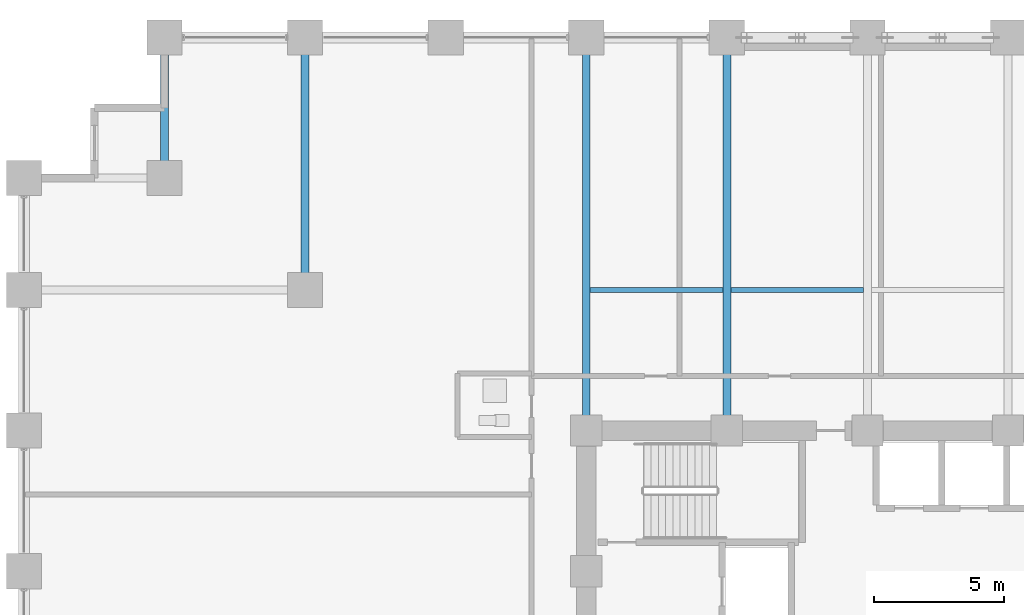
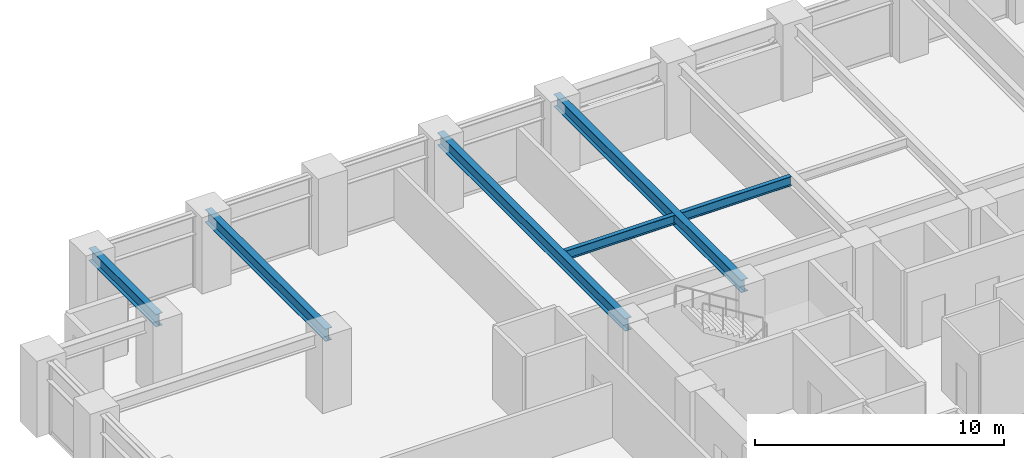
# One storey, part 11 of 24: 6 beams.
"""IFC4 building model written with IfcOpenShell, lengths in metres."""

from ifc_helpers import new_model, si_unit, direction, frame, origin, origin_2d, place, context, subcontext, project, spatial, i_section, extrude, material, material_profile, profile_set, type_object, element, save


model = new_model("IFC4")

# Units and contexts
model_context = context("Model", 3, precision=1e-05, world=origin(), true_north=direction((0.0, 1.0)))
body_context = subcontext(model_context, "Body", "Model", "MODEL_VIEW")
ifc_project = project(units=[si_unit("LENGTHUNIT", "METRE"), si_unit("AREAUNIT", "SQUARE_METRE"), si_unit("VOLUMEUNIT", "CUBIC_METRE"), si_unit("PLANEANGLEUNIT", "RADIAN"), si_unit("MASSUNIT", "GRAM", prefix="KILO")], contexts=[model_context])

# Site, building, storey
site_placement = place(None, origin())
site = spatial("IfcSite", under=ifc_project, at=site_placement, CompositionType="ELEMENT")
building_placement = place(site_placement, origin())
building = spatial("IfcBuilding", under=site, at=building_placement, Name="Surkhivell Harbour Commons", CompositionType="ELEMENT")
storey_placement = place(building_placement, frame((0.0, 0.0, 30.0)))
storey = spatial("IfcBuildingStorey", under=building, at=storey_placement, Name="L07", CompositionType="ELEMENT", Elevation=30.0)

# Beams
ifc_material = material(Name="Steel S355", Category="steel")
ifc_material_profile_1 = material_profile(ifc_material, i_section(OverallWidth=0.306884765625, OverallDepth=0.6201171875, WebThickness=0.01416015625, FlangeThickness=0.023681640625, at=origin_2d()), Name="UB610x305x179")
ifc_profile_set_1 = profile_set([ifc_material_profile_1], Name="Steel S355")
beam_type_1 = type_object("IfcBeamType", Name="BM-GRD-610A", PredefinedType="BEAM", material=ifc_profile_set_1)
beam_1_placement = place(storey_placement, frame((-27.0, 20.5, 3.260009765625), z_axis=(0.0, 1.0, 0.0), x_axis=(-1.0, 0.0, 0.0)))
element("IfcBeam", 1, at=beam_1_placement, inside=storey, type_object=beam_type_1, Name="L07 Floor Girder (-27.0,20.5)", PredefinedType="BEAM", context=body_context, shape_type="SweptSolid", body=[
    extrude(i_section(OverallWidth=0.306884765625, OverallDepth=0.6201171875, WebThickness=0.01416015625, FlangeThickness=0.023681640625, at=origin_2d()), origin(), (0.0, 0.0, 1.0), 5.39990234375),
])
beam_2_placement = place(storey_placement, frame((-21.60009765625, 16.199951171875, 3.260009765625), z_axis=(0.0, 1.0, 0.0), x_axis=(-1.0, 0.0, 0.0)))
element("IfcBeam", 2, at=beam_2_placement, inside=storey, type_object=beam_type_1, Name="L07 Floor Girder (-21.6,16.2)", PredefinedType="BEAM", context=body_context, shape_type="SweptSolid", body=[
    extrude(i_section(OverallWidth=0.306884765625, OverallDepth=0.6201171875, WebThickness=0.01416015625, FlangeThickness=0.023681640625, at=origin_2d()), origin(), (0.0, 0.0, 1.0), 9.699951171875),
])
for number, where, z_axis, x_axis, name in (
    (3, (-10.800048828125, 10.800048828125, 3.260009765625), (0.0, 1.0, 0.0), (-1.0, 0.0, 0.0), "L07 Floor Girder (-10.8,10.8)"),
    (4, (-5.39990234375, 10.800048828125, 3.260009765625), (0.0, 1.0, 0.0), (-1.0, 0.0, 0.0), "L07 Floor Girder (-5.4,10.8)"),
):
    element("IfcBeam", number, at=place(storey_placement, frame(where, z_axis=z_axis, x_axis=x_axis)), inside=storey, type_object=beam_type_1, Name=name, PredefinedType="BEAM", context=body_context, shape_type="SweptSolid", body=[
        extrude(i_section(OverallWidth=0.306884765625, OverallDepth=0.6201171875, WebThickness=0.01416015625, FlangeThickness=0.023681640625, at=origin_2d()), origin(), (0.0, 0.0, 1.0), 15.099853515625),
    ])
ifc_material_profile_2 = material_profile(ifc_material, i_section(OverallWidth=0.19189453125, OverallDepth=0.462890625, WebThickness=0.010498046875, FlangeThickness=0.017578125, at=origin_2d()), Name="UB457x191x89")
ifc_profile_set_2 = profile_set([ifc_material_profile_2], Name="Steel S355")
beam_type_2 = type_object("IfcBeamType", Name="BM-JST-457A", PredefinedType="JOIST", material=ifc_profile_set_2)
for number, where, z_axis, x_axis, name in (
    (5, (-10.6484375, 16.199951171875, 3.33837890625), (1.0, 0.0, 0.0), (0.0, 1.0, 0.0), "L07 North Composite Joist (-10.8)"),
    (6, (-5.24853515625, 16.199951171875, 3.33837890625), (1.0, 0.0, 0.0), (0.0, 1.0, 0.0), "L07 North Composite Joist (-5.4)"),
):
    element("IfcBeam", number, at=place(storey_placement, frame(where, z_axis=z_axis, x_axis=x_axis)), inside=storey, type_object=beam_type_2, Name=name, PredefinedType="JOIST", context=body_context, shape_type="SweptSolid", body=[
        extrude(i_section(OverallWidth=0.19189453125, OverallDepth=0.462890625, WebThickness=0.010498046875, FlangeThickness=0.017578125, at=origin_2d()), origin(), (0.0, 0.0, 1.0), 5.096923828125),
    ])

save(model, "model.ifc")
